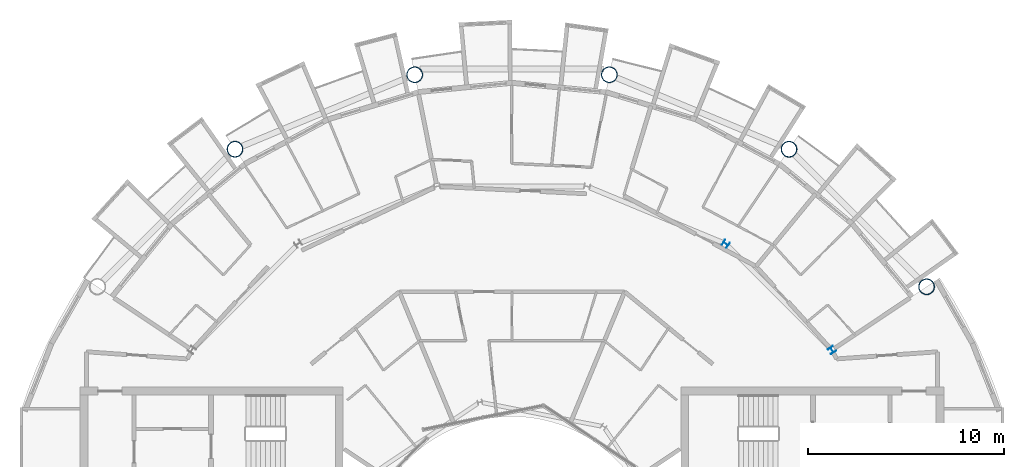
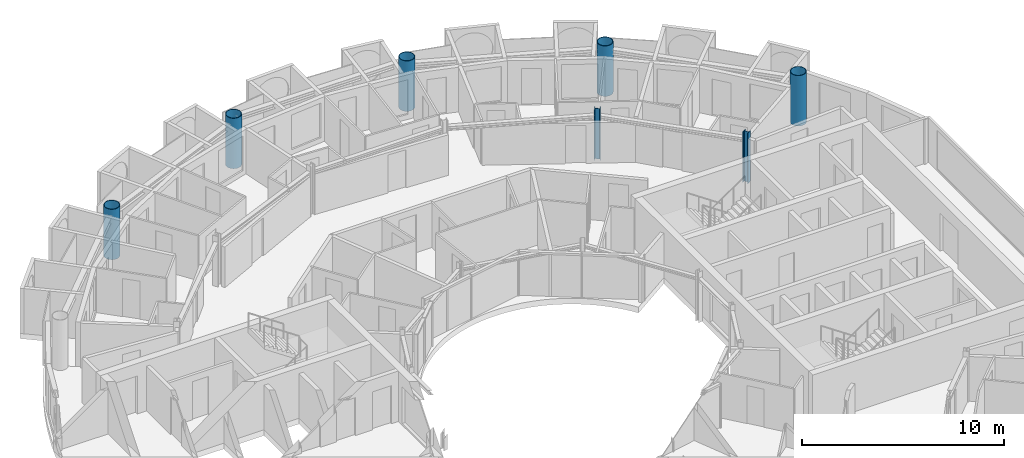
# One storey, part 5 of 27: 7 columns.
"""IFC4 building model written with IfcOpenShell, lengths in metres."""

from ifc_helpers import new_model, si_unit, direction, frame, origin, origin_2d, place, context, subcontext, project, spatial, hollow_circle, i_section, extrude, material, material_profile, profile_set, type_object, element, save


model = new_model("IFC4")

# Units and contexts
model_context = context("Model", 3, precision=1e-05, world=origin(), true_north=direction((0.0, 1.0)))
body_context = subcontext(model_context, "Body", "Model", "MODEL_VIEW")
ifc_project = project(units=[si_unit("LENGTHUNIT", "METRE"), si_unit("AREAUNIT", "SQUARE_METRE"), si_unit("VOLUMEUNIT", "CUBIC_METRE"), si_unit("PLANEANGLEUNIT", "RADIAN"), si_unit("MASSUNIT", "GRAM", prefix="KILO")], contexts=[model_context])

# Site, building, storey
site_placement = place(None, origin())
site = spatial("IfcSite", under=ifc_project, at=site_placement, CompositionType="ELEMENT")
building_placement = place(site_placement, origin())
building = spatial("IfcBuilding", under=site, at=building_placement, Name="Maasbend Ring Residences", CompositionType="ELEMENT")
storey_placement = place(building_placement, frame((0.0, 0.0, 240.14990234375)))
storey = spatial("IfcBuildingStorey", under=building, at=storey_placement, Name="L69", CompositionType="ELEMENT", Elevation=240.14990234375)

# Columns
ifc_material_1 = material(Name="Composite concrete-filled steel tube S460NH / C80/95", Category="concrete")
ifc_material_profile_1 = material_profile(ifc_material_1, hollow_circle(Radius=0.406494140625, WallThickness=0.030029296875, at=origin_2d()), Name="Composite tube column CHS 813x30")
ifc_profile_set_1 = profile_set([ifc_material_profile_1], Name="Composite concrete-filled steel tube S460NH / C80/95")
column_type_1 = type_object("IfcColumnType", Name="Composite tube column CHS 813x30", PredefinedType="COLUMN", material=ifc_profile_set_1)
for number, where, z_axis, x_axis, name in (
    (1, (21.119384765625, 14.111572265625, 0.0), (0.0, 0.0, 1.0), (1.0, 0.0, 0.0), "Outer column R2"),
    (2, (14.111572265625, 21.119384765625, 0.0), (0.0, 0.0, 1.0), (1.0, 0.0, 0.0), "Outer column R3"),
    (3, (4.955322265625, 24.911865234375, 0.0), (0.0, 0.0, 1.0), (1.0, 0.0, 0.0), "Outer column R4"),
    (4, (-4.955322265625, 24.911865234375, 0.0), (0.0, 0.0, 1.0), (1.0, 0.0, 0.0), "Outer column R5"),
    (5, (-14.111572265625, 21.119384765625, 0.0), (0.0, 0.0, 1.0), (1.0, 0.0, 0.0), "Outer column R6"),
):
    element("IfcColumn", number, at=place(storey_placement, frame(where, z_axis=z_axis, x_axis=x_axis)), inside=storey, type_object=column_type_1, Name=name, PredefinedType="COLUMN", context=body_context, shape_type="SweptSolid", body=[
        extrude(hollow_circle(Radius=0.406494140625, WallThickness=0.030029296875, at=origin_2d()), origin(), (0.0, 0.0, 1.0), 3.050048828125),
    ])
ifc_material_2 = material(Name="Steel S355J2", Category="steel")
ifc_material_profile_2 = material_profile(ifc_material_2, i_section(OverallWidth=0.300048828125, OverallDepth=0.300048828125, WebThickness=0.010986328125, FlangeThickness=0.01904296875, FilletRadius=0.027099609375, at=origin_2d()), Name="HEB 300")
ifc_profile_set_2 = profile_set([ifc_material_profile_2], Name="Steel S355J2")
column_type_2 = type_object("IfcColumnType", Name="Steel column HEB 300", PredefinedType="COLUMN", material=ifc_profile_set_2)
for number, where, z_axis, x_axis, name in (
    (6, (16.296875, 10.88916015625, 0.0), (0.0, 0.0, 1.0), (0.831469612303, 0.55557023302, 0.0), "Corridor ring column R2"),
    (7, (10.88916015625, 16.296875, 0.0), (0.0, 0.0, 1.0), (0.55557023302, 0.831469612303, 0.0), "Corridor ring column R3"),
):
    element("IfcColumn", number, at=place(storey_placement, frame(where, z_axis=z_axis, x_axis=x_axis)), inside=storey, type_object=column_type_2, Name=name, PredefinedType="COLUMN", context=body_context, shape_type="SweptSolid", body=[
        extrude(i_section(OverallWidth=0.300048828125, OverallDepth=0.300048828125, WebThickness=0.010986328125, FlangeThickness=0.01904296875, FilletRadius=0.027099609375, at=origin_2d()), origin(), (0.0, 0.0, 1.0), 3.050048828125),
    ])

save(model, "model.ifc")
